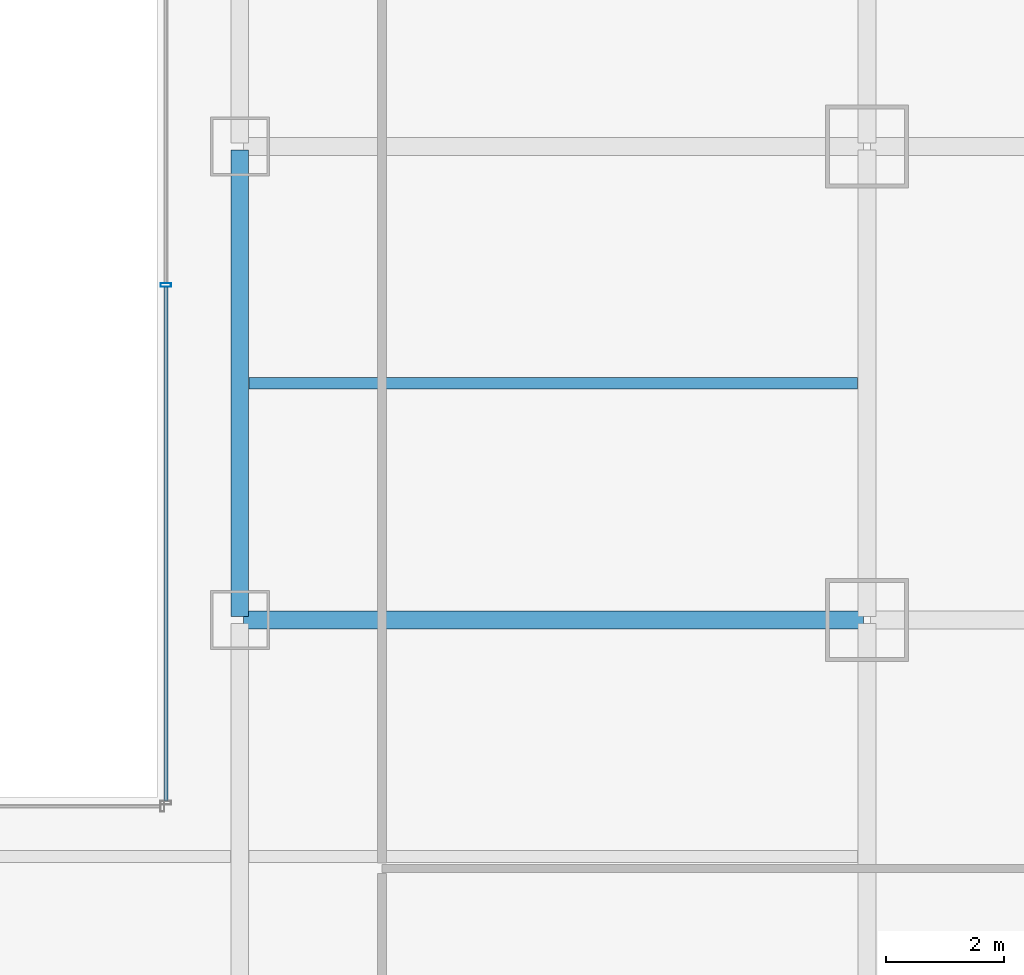
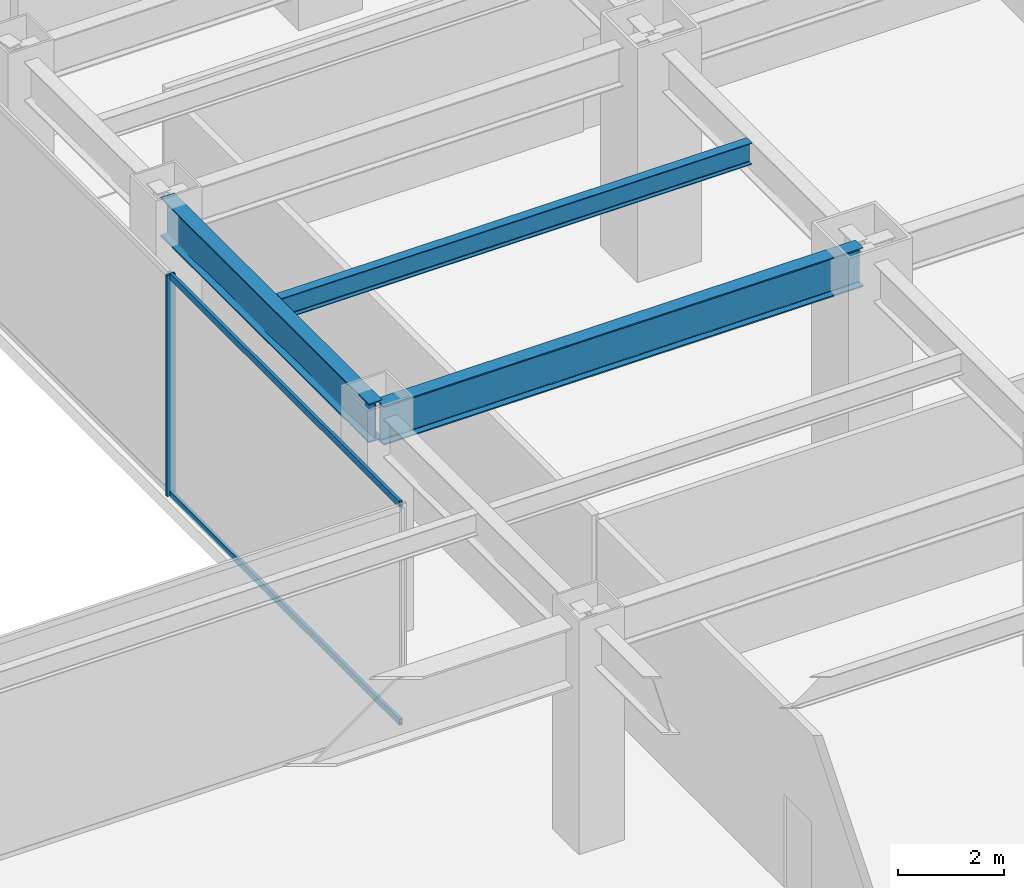
# One storey, part 20 of 52: 3 beams, 3 members, 1 element without a shape of its own.
"""IFC4 building model written with IfcOpenShell, lengths in metres."""

import ifcopenshell
import ifcopenshell.guid

model = None  # the IFC model being written
_history = None  # IfcOwnerHistory: only IFC2X3 demands one
_inside = {}  # id of a spatial element -> (the spatial element, [elements in it])
_under = {}  # id of a project, library or spatial element -> (it, [spatial elements below it])
_declared = {}  # id of a project -> (the project, [libraries it declares])
_typed = {}  # id of a type object -> (the type object, [elements of that type])
_made_of = {}  # id of a material, layer set ... -> (it, [elements and type objects made of it])


def new_model(schema):
    """Start an empty IFC model of exactly this schema.

    Asked for "IFC4X3", IfcOpenShell would pick the latest addendum, in which some entities
    have other attributes; the version numbers below select the first issue.
    IFC2X3 requires an IfcOwnerHistory on every rooted entity: one is made here for all.
    """
    global model, _history
    if schema == "IFC4X3":
        model = ifcopenshell.file(schema_version=(4, 3, 0, 0))
    else:
        model = ifcopenshell.file(schema=schema)
    _inside.clear()
    _under.clear()
    _declared.clear()
    _typed.clear()
    _made_of.clear()
    _history = None
    if model.schema == "IFC2X3":
        org = make("IfcOrganization", Name="unknown")
        user = make(
            "IfcPersonAndOrganization",
            ThePerson=make("IfcPerson", FamilyName="unknown"),
            TheOrganization=org,
        )
        app = make(
            "IfcApplication",
            ApplicationDeveloper=org,
            Version="unknown",
            ApplicationFullName="unknown",
            ApplicationIdentifier="unknown",
        )
        _history = make(
            "IfcOwnerHistory",
            OwningUser=user,
            OwningApplication=app,
            ChangeAction="ADDED",
            CreationDate=0,
        )
    return model


def make(cls, **values):
    """One entity of the class cls with the attributes given. An attribute that is None is left unset."""
    return model.create_entity(
        cls, **{name: value for name, value in values.items() if value is not None}
    )


def rooted(cls, **values):
    """An entity with a GlobalId (a new one), such as an element, a storey or a relation."""
    return make(cls, GlobalId=ifcopenshell.guid.new(), OwnerHistory=_history, **values)


def si_unit(unit_type, name, prefix=None):
    """IfcSIUnit, for example si_unit("LENGTHUNIT", "METRE", prefix="MILLI")."""
    return make("IfcSIUnit", UnitType=unit_type, Prefix=prefix, Name=name)


def assignment(units):
    """IfcUnitAssignment: the units of a project."""
    return None if units is None else make("IfcUnitAssignment", Units=units)


def point(xyz):
    """IfcCartesianPoint."""
    return None if xyz is None else make("IfcCartesianPoint", Coordinates=xyz)


def direction(xyz):
    """IfcDirection."""
    return None if xyz is None else make("IfcDirection", DirectionRatios=xyz)


def frame(location, z_axis=None, x_axis=None):
    """IfcAxis2Placement3D, a coordinate frame: its origin and axes. An axis left out is left unset."""
    return make(
        "IfcAxis2Placement3D",
        Location=point(location),
        Axis=direction(z_axis),
        RefDirection=direction(x_axis),
    )


def frame_2d(location, x_axis=None):
    """IfcAxis2Placement2D, a coordinate frame in the plane: its origin and x axis."""
    return make(
        "IfcAxis2Placement2D", Location=point(location), RefDirection=direction(x_axis)
    )


def origin():
    """The frame at (0, 0, 0) with its axes left unset."""
    return frame((0.0, 0.0, 0.0))


def origin_2d():
    """The frame at (0, 0) in the plane with its x axis left unset."""
    return frame_2d((0.0, 0.0))


def place(relative_to, where):
    """IfcLocalPlacement: puts the frame where relative to a parent placement (None: the world)."""
    return make(
        "IfcLocalPlacement", PlacementRelTo=relative_to, RelativePlacement=where
    )


def context(
    kind, dimensions, precision=None, world=None, true_north=None, identifier=None
):
    """IfcGeometricRepresentationContext, for example the 3D "Model" context."""
    return make(
        "IfcGeometricRepresentationContext",
        ContextIdentifier=identifier,
        ContextType=kind,
        CoordinateSpaceDimension=dimensions,
        Precision=precision,
        WorldCoordinateSystem=world,
        TrueNorth=true_north,
    )


def subcontext(parent, identifier, kind, view, scale=None):
    """IfcGeometricRepresentationSubContext, for example "Body" below "Model"."""
    return make(
        "IfcGeometricRepresentationSubContext",
        ContextIdentifier=identifier,
        ContextType=kind,
        ParentContext=parent,
        TargetScale=scale,
        TargetView=view,
    )


def project(units=None, contexts=None):
    """IfcProject with its units and contexts."""
    return rooted(
        "IfcProject",
        Name="project",
        RepresentationContexts=contexts,
        UnitsInContext=assignment(units),
    )


def spatial(cls, under=None, at=None, **own):
    """A site, building, storey or space (cls), placed at a placement, below another one or the project."""
    s = rooted(cls, ObjectPlacement=at, **own)
    if under is not None:
        _under.setdefault(under.id(), (under, []))[1].append(s)
    return s


def profile(cls, at=None, kind="AREA", **sizes):
    """A parametric profile (cls). Its sizes go by their IFC names, for example OverallWidth=200.0."""
    return make(cls, ProfileType=kind, Position=at, **sizes)


def hollow_rectangle(**sizes):
    """IfcRectangleHollowProfileDef."""
    return profile("IfcRectangleHollowProfileDef", **sizes)


def i_section(**sizes):
    """IfcIShapeProfileDef."""
    return profile("IfcIShapeProfileDef", **sizes)


def extrude(swept, where, along, depth):
    """IfcExtrudedAreaSolid: the profile swept, set in the frame where, extruded along a direction by depth."""
    return make(
        "IfcExtrudedAreaSolid",
        SweptArea=swept,
        Position=where,
        ExtrudedDirection=direction(along),
        Depth=depth,
    )


def shape(context_of_items, identifier, shape_type, items):
    """IfcShapeRepresentation: the items that make up one representation, for example the "Body"."""
    return make(
        "IfcShapeRepresentation",
        ContextOfItems=context_of_items,
        RepresentationIdentifier=identifier,
        RepresentationType=shape_type,
        Items=items,
    )


def material(Name=None, Category=None):
    """IfcMaterial."""
    return make("IfcMaterial", Name=Name, Category=Category)


def material_profile(
    of_material, cross_section, Name=None, Category=None, Priority=None
):
    """IfcMaterialProfile: a cross section and its material."""
    return make(
        "IfcMaterialProfile",
        Name=Name,
        Material=of_material,
        Profile=cross_section,
        Priority=Priority,
        Category=Category,
    )


def profile_set(profiles, Name=None, composite=None):
    """IfcMaterialProfileSet."""
    return make(
        "IfcMaterialProfileSet",
        Name=Name,
        MaterialProfiles=profiles,
        CompositeProfile=composite,
    )


def made_of(thing, what):
    """Note that an element or type object is made of a material, layer set ...; save() writes the relation."""
    if what is not None:
        _made_of.setdefault(what.id(), (what, []))[1].append(thing)
    return thing


def type_object(cls, material=None, **own):
    """A type object (cls), such as IfcWallType, which elements share."""
    return made_of(rooted(cls, **own), material)


def element(
    cls,
    number,
    at=None,
    inside=None,
    cuts=None,
    type_object=None,
    material=None,
    context=None,
    identifier="Body",
    shape_type=None,
    held_by="IfcProductDefinitionShape",
    body=None,
    shapes=None,
    **own,
):
    """One element of the class cls, such as IfcWall. Its Tag is "e" and its number.

    at: its placement. inside: the storey or other place that contains it. cuts: it is an
    opening in that element (IfcRelVoidsElement). A single representation is given by context,
    identifier, shape_type and body (its items); several are given by shapes. held_by: the class
    of the entity that holds the representations. save() writes the other relations.
    """
    e = rooted(cls, Tag="e%d" % number, ObjectPlacement=at, **own)
    if body is not None:
        shapes = [shape(context, identifier, shape_type, body)]
    if shapes is not None:
        e.Representation = make(held_by, Representations=shapes)
    if inside is not None:
        _inside.setdefault(inside.id(), (inside, []))[1].append(e)
    if cuts is not None:
        rooted(
            "IfcRelVoidsElement", RelatingBuildingElement=cuts, RelatedOpeningElement=e
        )
    if type_object is not None:
        _typed.setdefault(type_object.id(), (type_object, []))[1].append(e)
    return made_of(e, material)


def aggregate(whole, parts):
    """IfcRelAggregates: a whole, such as a stair, and the parts it consists of."""
    return rooted("IfcRelAggregates", RelatingObject=whole, RelatedObjects=parts)


def save(model, path):
    """Write the relations noted so far, then the file.

    IfcRelAggregates (storeys below a building ...), IfcRelContainedInSpatialStructure (elements
    in a storey), IfcRelDefinesByType, IfcRelAssociatesMaterial and IfcRelDeclares: one each for
    every whole, place, type object, material and project.
    """
    for whole, parts in _under.values():
        aggregate(whole, parts)
    for where, things in _inside.values():
        rooted(
            "IfcRelContainedInSpatialStructure",
            RelatedElements=things,
            RelatingStructure=where,
        )
    for kind, things in _typed.values():
        rooted("IfcRelDefinesByType", RelatedObjects=things, RelatingType=kind)
    for what, things in _made_of.values():
        rooted("IfcRelAssociatesMaterial", RelatedObjects=things, RelatingMaterial=what)
    for by, libraries in _declared.values():
        rooted("IfcRelDeclares", RelatingContext=by, RelatedDefinitions=libraries)
    model.write(path)


model = new_model("IFC4")

# Units and contexts
model_context = context("Model", 3, precision=1e-05, world=origin(), true_north=direction((0.0, 1.0)))
body_context = subcontext(model_context, "Body", "Model", "MODEL_VIEW")
ifc_project = project(units=[si_unit("LENGTHUNIT", "METRE"), si_unit("AREAUNIT", "SQUARE_METRE"), si_unit("VOLUMEUNIT", "CUBIC_METRE"), si_unit("PLANEANGLEUNIT", "RADIAN"), si_unit("MASSUNIT", "GRAM", prefix="KILO")], contexts=[model_context])

# Site, building, storey
site_placement = place(None, origin())
site = spatial("IfcSite", under=ifc_project, at=site_placement, CompositionType="ELEMENT")
building_placement = place(site_placement, origin())
building = spatial("IfcBuilding", under=site, at=building_placement, Name="Saevonmaru Cultural Tower", CompositionType="ELEMENT")
storey_placement = place(building_placement, frame((0.0, 0.0, 11.39990234375)))
storey = spatial("IfcBuildingStorey", under=building, at=storey_placement, Name="L02", CompositionType="ELEMENT", Elevation=11.39990234375)

# Beams
ifc_material_1 = material(Name="Steel SM420", Category="steel")
ifc_material_profile_1 = material_profile(ifc_material_1, i_section(OverallWidth=0.300048828125, OverallDepth=0.89990234375, WebThickness=0.01611328125, FlangeThickness=0.028076171875, FilletRadius=0.028076171875, at=origin_2d()), Name="H-900x300x16x28")
ifc_profile_set_1 = profile_set([ifc_material_profile_1], Name="Steel SM420")
beam_type_1 = type_object("IfcBeamType", Name="BM-G-H900", PredefinedType="BEAM", material=ifc_profile_set_1)
beam_1_placement = place(storey_placement, frame((37.199951171875, 24.06005859375, 4.650146484375), z_axis=(0.0, 1.0, 0.0), x_axis=(-1.0, 0.0, 0.0)))
element("IfcBeam", 1, at=beam_1_placement, inside=storey, type_object=beam_type_1, Name="L02 Podium Girder NS3-4", PredefinedType="BEAM", context=body_context, shape_type="SweptSolid", body=[
    extrude(i_section(OverallWidth=0.300048828125, OverallDepth=0.89990234375, WebThickness=0.01611328125, FlangeThickness=0.028076171875, FilletRadius=0.028076171875, at=origin_2d()), origin(), (0.0, 0.0, 1.0), 7.8798828125),
])
beam_2_placement = place(storey_placement, frame((37.260009765625, 24.0, 4.650146484375), z_axis=(1.0, 0.0, 0.0), x_axis=(0.0, 1.0, 0.0)))
element("IfcBeam", 2, at=beam_2_placement, inside=storey, type_object=beam_type_1, Name="L02 Gallery Girder E-3", PredefinedType="BEAM", context=body_context, shape_type="SweptSolid", body=[
    extrude(i_section(OverallWidth=0.300048828125, OverallDepth=0.89990234375, WebThickness=0.01611328125, FlangeThickness=0.028076171875, FilletRadius=0.028076171875, at=origin_2d()), origin(), (0.0, 0.0, 1.0), 10.47998046875),
])
ifc_material_2 = material(Name="Steel SM355", Category="steel")
ifc_material_profile_2 = material_profile(ifc_material_2, i_section(OverallWidth=0.199951171875, OverallDepth=0.5, WebThickness=0.010009765625, FlangeThickness=0.01611328125, FilletRadius=0.02001953125, at=origin_2d()), Name="H-500x200x10x16")
ifc_profile_set_2 = profile_set([ifc_material_profile_2], Name="Steel SM355")
beam_type_2 = type_object("IfcBeamType", Name="BM-J-H500", PredefinedType="JOIST", material=ifc_profile_set_2)
beam_3_placement = place(storey_placement, frame((37.35791015625, 28.0, 4.85009765625), z_axis=(1.0, 0.0, 0.0), x_axis=(0.0, 1.0, 0.0)))
element("IfcBeam", 3, at=beam_3_placement, inside=storey, type_object=beam_type_2, Name="L02 Secondary Floor Joist JE-3", PredefinedType="JOIST", context=body_context, shape_type="SweptSolid", body=[
    extrude(i_section(OverallWidth=0.199951171875, OverallDepth=0.5, WebThickness=0.010009765625, FlangeThickness=0.01611328125, FilletRadius=0.02001953125, at=origin_2d()), origin(), (0.0, 0.0, 1.0), 10.2841796875),
])

# Curtain wall, members
ifc_material_3 = material(Name="Satin Bronze Anodised Aluminium", Category="aluminium")
curtain_wall_type = type_object("IfcCurtainWallType", Name="CW-ATR-GLZ", PredefinedType="NOTDEFINED", material=ifc_material_3)
curtain_wall_placement = place(storey_placement, origin())
curtain_wall = element("IfcCurtainWall", 4, at=curtain_wall_placement, inside=storey, type_object=curtain_wall_type, Name="L02 Vertical Atrium Glazed Smoke Screen 2", PredefinedType="NOTDEFINED")
ifc_material_profile_3 = material_profile(ifc_material_3, hollow_rectangle(XDim=0.06494140625, YDim=0.179931640625, WallThickness=0.00390625, at=origin_2d()), Name="ALU-MULL-180x65x4")
ifc_profile_set_3 = profile_set([ifc_material_profile_3], Name="Satin Bronze Anodised Aluminium")
member_type_1 = type_object("IfcMemberType", Name="ML-CW-INT-180x65", PredefinedType="MULLION", material=ifc_profile_set_3)
member_1_placement = place(storey_placement, frame((35.949951171875, 29.659912109375, 0.0), z_axis=(0.0, 0.0, 1.0), x_axis=(0.0, 1.0, 0.0)))
member_1 = element("IfcMember", 5, at=member_1_placement, type_object=member_type_1, Name="CW-ATR-L02-2 mullion 2", PredefinedType="MULLION", context=body_context, shape_type="SweptSolid", body=[
    extrude(hollow_rectangle(XDim=0.06494140625, YDim=0.179931640625, WallThickness=0.00390625, at=origin_2d()), origin(), (0.0, 0.0, 1.0), 5.10009765625),
])
ifc_material_profile_4 = material_profile(ifc_material_3, hollow_rectangle(XDim=0.06494140625, YDim=0.14990234375, WallThickness=0.00390625, at=origin_2d()), Name="ALU-TRAN-150x65x4")
ifc_profile_set_4 = profile_set([ifc_material_profile_4], Name="Satin Bronze Anodised Aluminium")
member_type_2 = type_object("IfcMemberType", Name="TR-CW-INT-150x65", PredefinedType="USERDEFINED", material=ifc_profile_set_4)
member_2_placement = place(storey_placement, frame((35.949951171875, 20.9423828125, 0.03271484375), z_axis=(0.0, 1.0, 0.0), x_axis=(-1.0, 0.0, 0.0)))
member_2 = element("IfcMember", 6, at=member_2_placement, type_object=member_type_2, Name="CW-ATR-L02-2 transom 1.1", ObjectType="TRANSOM", PredefinedType="USERDEFINED", context=body_context, shape_type="SweptSolid", body=[
    extrude(hollow_rectangle(XDim=0.06494140625, YDim=0.14990234375, WallThickness=0.00390625, at=origin_2d()), origin(), (0.0, 0.0, 1.0), 8.68505859375),
])
member_3_placement = place(storey_placement, frame((35.949951171875, 20.9423828125, 5.067626953125), z_axis=(0.0, 1.0, 0.0), x_axis=(-1.0, 0.0, 0.0)))
member_3 = element("IfcMember", 7, at=member_3_placement, type_object=member_type_2, Name="CW-ATR-L02-2 transom 1.2", ObjectType="TRANSOM", PredefinedType="USERDEFINED", context=body_context, shape_type="SweptSolid", body=[
    extrude(hollow_rectangle(XDim=0.06494140625, YDim=0.14990234375, WallThickness=0.00390625, at=origin_2d()), origin(), (0.0, 0.0, 1.0), 8.68505859375),
])
aggregate(curtain_wall, [member_1, member_2, member_3])

save(model, "model.ifc")
